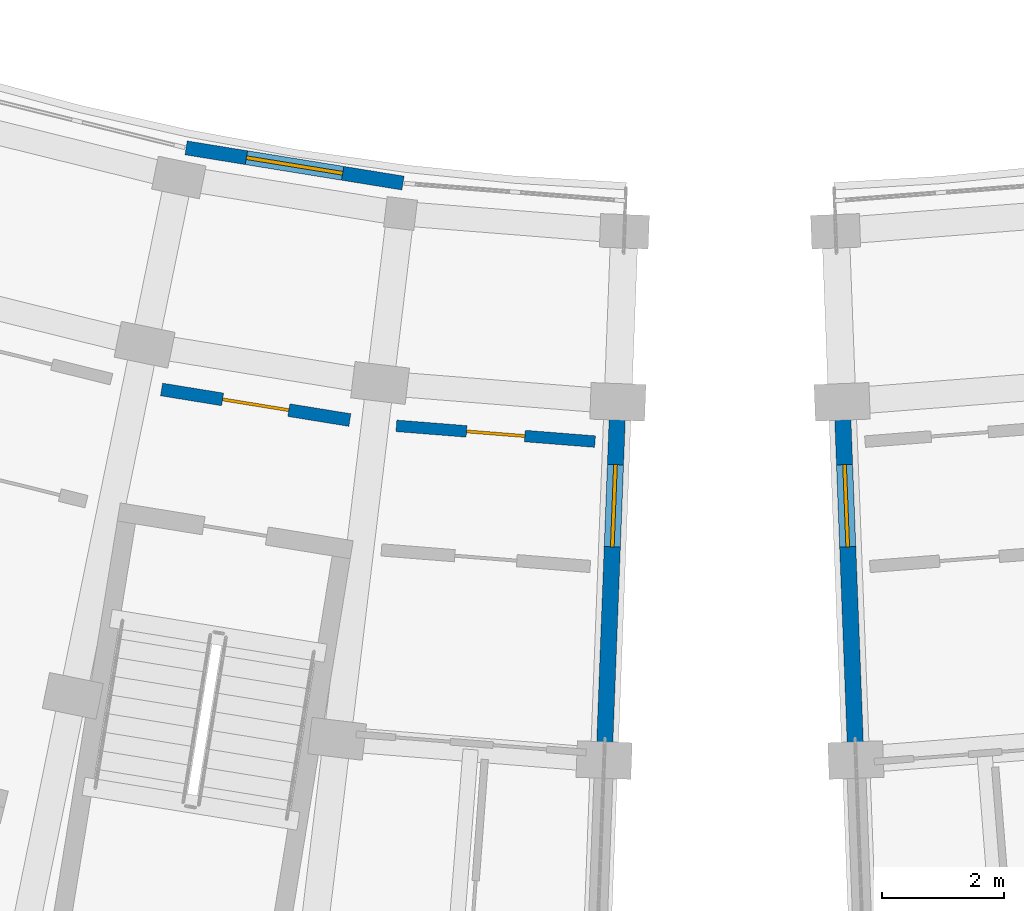
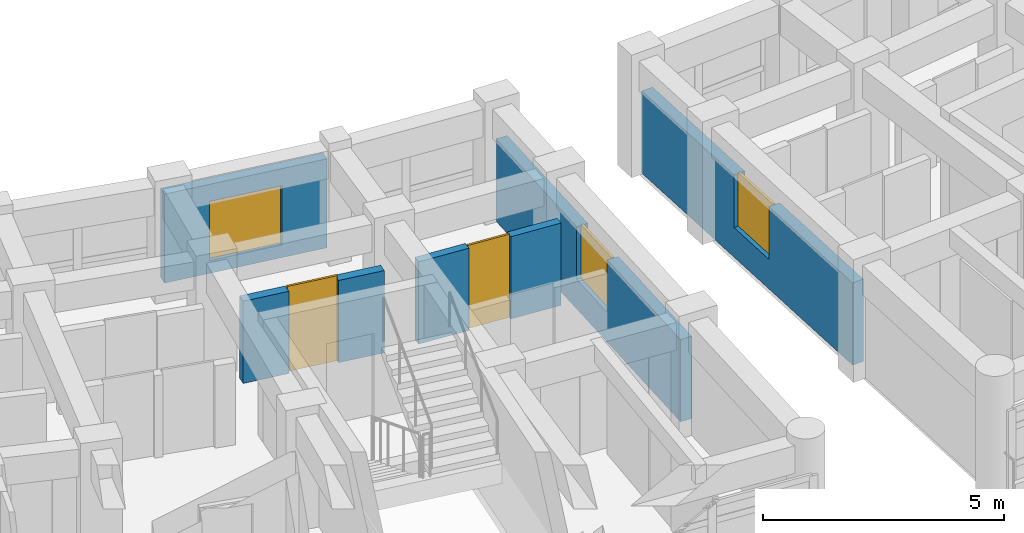
# One storey, part 43 of 70: 5 walls, 3 windows, 2 doors, 5 openings.
"""IFC4 building model written with IfcOpenShell, lengths in metres."""

from ifc_helpers import new_model, si_unit, direction, frame, frame_2d, origin, place, context, subcontext, project, spatial, rectangle, extrude, material, layer, layer_set, type_object, element, fill, save


model = new_model("IFC4")

# Units and contexts
model_context = context("Model", 3, precision=1e-05, world=origin(), true_north=direction((0.0, 1.0)))
body_context = subcontext(model_context, "Body", "Model", "MODEL_VIEW")
ifc_project = project(units=[si_unit("LENGTHUNIT", "METRE"), si_unit("AREAUNIT", "SQUARE_METRE"), si_unit("VOLUMEUNIT", "CUBIC_METRE"), si_unit("PLANEANGLEUNIT", "RADIAN"), si_unit("MASSUNIT", "GRAM", prefix="KILO")], contexts=[model_context])

# Site, building, storey
site_placement = place(None, origin())
site = spatial("IfcSite", under=ifc_project, at=site_placement, CompositionType="ELEMENT")
building_placement = place(site_placement, origin())
building = spatial("IfcBuilding", under=site, at=building_placement, Name="Zimvara Arc Housing Community", CompositionType="ELEMENT")
storey_placement = place(building_placement, frame((0.0, 0.0, 8.10009765625)))
storey = spatial("IfcBuildingStorey", under=building, at=storey_placement, Name="L02", CompositionType="ELEMENT", Elevation=8.10009765625)

# Wall, opening, window
ifc_material_1 = material(Name="Board-Marked Fair-Faced Concrete C35/45", Category="concrete")
ifc_layer_1 = layer(ifc_material_1, 0.22998046875)
ifc_layer_set_1 = layer_set([ifc_layer_1], Name="Board-Marked Fair-Faced Concrete C35/45")
wall_type_1 = type_object("IfcWallType", Name="EWL-CONC-230", PredefinedType="SOLIDWALL", material=ifc_layer_set_1)
wall_1_placement = place(storey_placement, frame((117.05810546875, 66.141845703125, 0.0), z_axis=(0.0, 0.0, 1.0), x_axis=(0.987080874485, -0.160222804952, 0.0)))
wall_1 = element("IfcWall", 1, at=wall_1_placement, inside=storey, type_object=wall_type_1, Name="ewall:blkC:L02:in:b8", PredefinedType="SOLIDWALL", context=body_context, shape_type="SweptSolid", body=[
    extrude(rectangle(XDim=3.603759765625, YDim=0.22998046875, at=frame_2d((1.8017578125, 0.0))), origin(), (0.0, 0.0, 1.0), 2.25),
])
opening_1_placement = place(wall_1_placement, frame((1.001708984375, 0.0, 0.320068359375)))
opening_1 = element("IfcOpeningElement", 2, at=opening_1_placement, cuts=wall_1, Name="Opening W03", PredefinedType="OPENING", context=body_context, shape_type="SweptSolid", body=[
    extrude(rectangle(XDim=1.60009765625, YDim=1.5, at=frame_2d((0.800048828125, 0.75))), frame((0.0, 0.125, 0.0), z_axis=(0.0, -1.0, 0.0), x_axis=(1.0, 0.0, 0.0)), (0.0, 0.0, 1.0), 0.25),
])
ifc_material_2 = material(Name="Solar Control Low-E Double Glazing", Category="glass")
window_type_1 = type_object("IfcWindowType", Name="WIN-RES-1600x1500", PartitioningType="DOUBLE_PANEL_VERTICAL", PredefinedType="WINDOW", material=ifc_material_2)
window_1_placement = place(opening_1_placement, origin())
window_1 = element("IfcWindow", 3, at=window_1_placement, inside=storey, type_object=window_type_1, Name="win:blkC:L02:in:b8", OverallHeight=1.5, OverallWidth=1.60009765625, PartitioningType="DOUBLE_PANEL_VERTICAL", PredefinedType="WINDOW", context=body_context, shape_type="SweptSolid", body=[
    extrude(rectangle(XDim=1.60009765625, YDim=1.5, at=frame_2d((0.800048828125, 0.75))), frame((0.0, 0.030029296875, 0.0), z_axis=(0.0, -1.0, 0.0), x_axis=(1.0, 0.0, 0.0)), (0.0, 0.0, 1.0), 0.06005859375),
])
fill(opening_1, window_1)

ifc_material_3 = material(Name="Board-Marked Fair-Faced Concrete C35/45", Category="concrete")
ifc_layer_2 = layer(ifc_material_3, 0.264892578125)
ifc_layer_set_2 = layer_set([ifc_layer_2], Name="Board-Marked Fair-Faced Concrete C35/45")
wall_type_2 = type_object("IfcWallType", Name="EWL-CONC-265", PredefinedType="SOLIDWALL", material=ifc_layer_set_2)
wall_2_placement = place(storey_placement, frame((124.23876953125, 64.533447265625, 0.0), z_axis=(0.0, 0.0, 1.0), x_axis=(-0.038407966241, -0.999262141847, 0.0)))
wall_2 = element("IfcWall", 4, at=wall_2_placement, inside=storey, type_object=wall_type_2, Name="ewall:blkC:L02:gN", PredefinedType="SOLIDWALL", context=body_context, shape_type="SweptSolid", body=[
    extrude(rectangle(XDim=8.199951171875, YDim=0.264892578125, at=frame_2d((4.10009765625, 0.0))), origin(), (0.0, 0.0, 1.0), 2.079833984375),
])
opening_2_placement = place(wall_2_placement, frame((3.590087890625, 0.0, 0.75)))
opening_2 = element("IfcOpeningElement", 5, at=opening_2_placement, cuts=wall_2, Name="Opening W12", PredefinedType="OPENING", context=body_context, shape_type="SweptSolid", body=[
    extrude(rectangle(XDim=1.35009765625, YDim=1.35009765625, at=frame_2d((0.675048828125, 0.675048828125))), frame((0.0, 0.142333984375, 0.0), z_axis=(0.0, -1.0, 0.0), x_axis=(1.0, 0.0, 0.0)), (0.0, 0.0, 1.0), 0.284912109375),
])
ifc_material_4 = material(Name="Solar Control Low-E Double Glazing", Category="glass")
window_type_2 = type_object("IfcWindowType", Name="WIN-RES-1350x1350", PartitioningType="DOUBLE_PANEL_VERTICAL", PredefinedType="WINDOW", material=ifc_material_4)
window_2_placement = place(opening_2_placement, origin())
window_2 = element("IfcWindow", 6, at=window_2_placement, inside=storey, type_object=window_type_2, Name="win:blkC:L02:gN:w", OverallHeight=1.35009765625, OverallWidth=1.35009765625, PartitioningType="DOUBLE_PANEL_VERTICAL", PredefinedType="WINDOW", context=body_context, shape_type="SweptSolid", body=[
    extrude(rectangle(XDim=1.35009765625, YDim=1.35009765625, at=frame_2d((0.675048828125, 0.675048828125))), frame((0.0, 0.030029296875, 0.0), z_axis=(0.0, -1.0, 0.0), x_axis=(1.0, 0.0, 0.0)), (0.0, 0.0, 1.0), 0.06005859375),
])
fill(opening_2, window_2)

wall_3_placement = place(storey_placement, frame((127.72119140625, 64.533447265625, 0.0), z_axis=(0.0, 0.0, 1.0), x_axis=(0.038407966241, -0.999262141847, 0.0)))
wall_3 = element("IfcWall", 7, at=wall_3_placement, inside=storey, type_object=wall_type_2, Name="ewall:blkD:L02:g0", PredefinedType="SOLIDWALL", context=body_context, shape_type="SweptSolid", body=[
    extrude(rectangle(XDim=8.199951171875, YDim=0.264892578125, at=frame_2d((4.10009765625, 0.0))), origin(), (0.0, 0.0, 1.0), 2.079833984375),
])
opening_3_placement = place(wall_3_placement, frame((3.590087890625, 0.0, 0.75)))
opening_3 = element("IfcOpeningElement", 8, at=opening_3_placement, cuts=wall_3, Name="Opening W12", PredefinedType="OPENING", context=body_context, shape_type="SweptSolid", body=[
    extrude(rectangle(XDim=1.35009765625, YDim=1.35009765625, at=frame_2d((0.675048828125, 0.675048828125))), frame((0.0, 0.142333984375, 0.0), z_axis=(0.0, -1.0, 0.0), x_axis=(1.0, 0.0, 0.0)), (0.0, 0.0, 1.0), 0.284912109375),
])
window_3_placement = place(opening_3_placement, origin())
window_3 = element("IfcWindow", 9, at=window_3_placement, inside=storey, type_object=window_type_2, Name="win:blkD:L02:g0:w", OverallHeight=1.35009765625, OverallWidth=1.35009765625, PartitioningType="DOUBLE_PANEL_VERTICAL", PredefinedType="WINDOW", context=body_context, shape_type="SweptSolid", body=[
    extrude(rectangle(XDim=1.35009765625, YDim=1.35009765625, at=frame_2d((0.675048828125, 0.675048828125))), frame((0.0, 0.030029296875, 0.0), z_axis=(0.0, -1.0, 0.0), x_axis=(1.0, 0.0, 0.0)), (0.0, 0.0, 1.0), 0.06005859375),
])
fill(opening_3, window_3)

# Wall, opening, door
ifc_material_5 = material(Name="Concrete C35/45", Category="concrete")
ifc_layer_3 = layer(ifc_material_5, 0.2099609375)
ifc_layer_set_3 = layer_set([ifc_layer_3], Name="Concrete C35/45")
wall_type_3 = type_object("IfcWallType", Name="IWL-CCF-210", PredefinedType="SOLIDWALL", material=ifc_layer_set_3)
wall_4_placement = place(storey_placement, frame((116.655517578125, 62.178466796875, 0.0), z_axis=(0.0, 0.0, 1.0), x_axis=(0.987083140276, -0.16020884552, 0.0)))
wall_4 = element("IfcWall", 10, at=wall_4_placement, inside=storey, type_object=wall_type_3, Name="iwall:blkC:L02:ccf_div:b8", PredefinedType="SOLIDWALL", context=body_context, shape_type="SweptSolid", body=[
    extrude(rectangle(XDim=3.128662109375, YDim=0.2099609375, at=frame_2d((1.564453125, 0.0))), origin(), (0.0, 0.0, 1.0), 2.079833984375),
])
opening_4_placement = place(wall_4_placement, frame((1.014404296875, 0.0, 0.0)))
opening_4 = element("IfcOpeningElement", 11, at=opening_4_placement, cuts=wall_4, Name="Opening FD-CCF1", PredefinedType="OPENING", context=body_context, shape_type="SweptSolid", body=[
    extrude(rectangle(XDim=1.10009765625, YDim=2.14990234375, at=frame_2d((0.550048828125, 1.074951171875))), frame((0.0, 0.114990234375, 0.0), z_axis=(0.0, -1.0, 0.0), x_axis=(1.0, 0.0, 0.0)), (0.0, 0.0, 1.0), 0.22998046875),
])
ifc_material_6 = material(Name="Anodised Aluminium AW-6063", Category="aluminium")
door_type_1 = type_object("IfcDoorType", Name="IDR-CCF-1100x2150", OperationType="NOTDEFINED", PredefinedType="DOOR", material=ifc_material_6)
door_1_placement = place(opening_4_placement, origin())
door_1 = element("IfcDoor", 12, at=door_1_placement, inside=storey, type_object=door_type_1, Name="idoor:blkC:L02:ccf_in:b8", OperationType="SINGLE_SWING_LEFT", OverallHeight=2.14990234375, OverallWidth=1.10009765625, PredefinedType="DOOR", context=body_context, shape_type="SweptSolid", body=[
    extrude(rectangle(XDim=1.10009765625, YDim=2.14990234375, at=frame_2d((0.550048828125, 1.074951171875))), frame((0.0, 0.02490234375, 0.0), z_axis=(0.0, -1.0, 0.0), x_axis=(1.0, 0.0, 0.0)), (0.0, 0.0, 1.0), 0.050048828125),
])
fill(opening_4, door_1)

ifc_material_7 = material(Name="Concrete C35/45", Category="concrete")
ifc_layer_4 = layer(ifc_material_7, 0.18994140625)
ifc_layer_set_4 = layer_set([ifc_layer_4], Name="Concrete C35/45")
wall_type_4 = type_object("IfcWallType", Name="IWL-CORR-190", PredefinedType="SOLIDWALL", material=ifc_layer_set_4)
wall_5_placement = place(storey_placement, frame((120.507080078125, 61.582275390625, 0.0), z_axis=(0.0, 0.0, 1.0), x_axis=(0.996860715473, -0.07917521043, 0.0)))
wall_5 = element("IfcWall", 13, at=wall_5_placement, inside=storey, type_object=wall_type_4, Name="iwall:blkC:L02:corr_in:b9", PredefinedType="SOLIDWALL", context=body_context, shape_type="SweptSolid", body=[
    extrude(rectangle(XDim=3.2685546875, YDim=0.18994140625, at=frame_2d((1.63427734375, 0.0))), origin(), (0.0, 0.0, 1.0), 2.079833984375),
])
opening_5_placement = place(wall_5_placement, frame((1.154296875, 0.0, 0.0)))
opening_5 = element("IfcOpeningElement", 14, at=opening_5_placement, cuts=wall_5, Name="Opening D04", PredefinedType="OPENING", context=body_context, shape_type="SweptSolid", body=[
    extrude(rectangle(XDim=0.9599609375, YDim=2.10009765625, at=frame_2d((0.47998046875, 1.050048828125))), frame((0.0, 0.10498046875, 0.0), z_axis=(0.0, -1.0, 0.0), x_axis=(1.0, 0.0, 0.0)), (0.0, 0.0, 1.0), 0.2099609375),
])
ifc_material_8 = material(Name="Mozambican Hardwood", Category="wood")
door_type_2 = type_object("IfcDoorType", Name="IDR-RM-0960x2100", OperationType="NOTDEFINED", PredefinedType="DOOR", material=ifc_material_8)
door_2_placement = place(opening_5_placement, origin())
door_2 = element("IfcDoor", 15, at=door_2_placement, inside=storey, type_object=door_type_2, Name="idoor:blkC:L02:in_rm:b9", OperationType="SINGLE_SWING_LEFT", OverallHeight=2.10009765625, OverallWidth=0.9599609375, PredefinedType="DOOR", context=body_context, shape_type="SweptSolid", body=[
    extrude(rectangle(XDim=0.9599609375, YDim=2.10009765625, at=frame_2d((0.47998046875, 1.050048828125))), frame((0.0, 0.02490234375, 0.0), z_axis=(0.0, -1.0, 0.0), x_axis=(1.0, 0.0, 0.0)), (0.0, 0.0, 1.0), 0.050048828125),
])
fill(opening_5, door_2)

save(model, "model.ifc")
